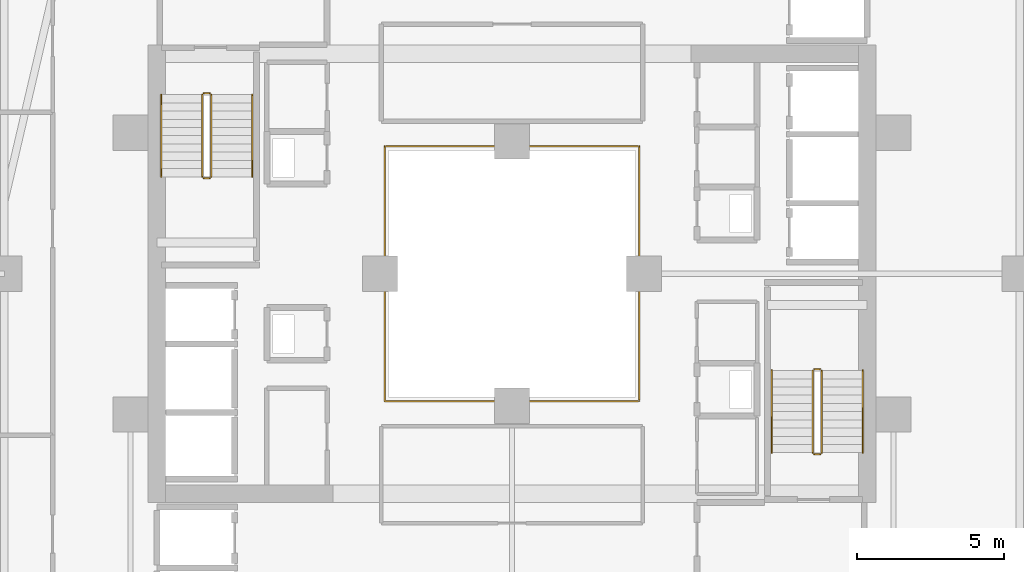
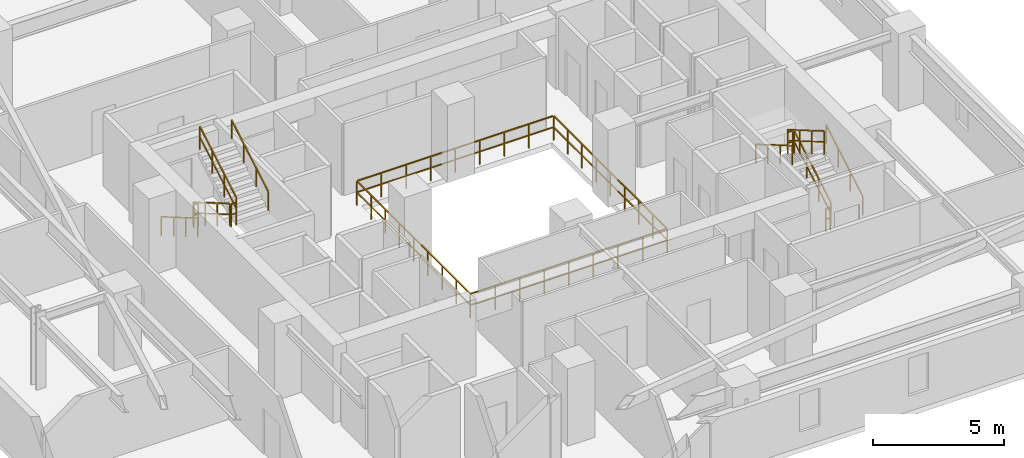
# One storey, part 30 of 31: 13 railings.
"""IFC4 building model written with IfcOpenShell, lengths in metres."""

from ifc_helpers import new_model, si_unit, direction, frame, origin, origin_2d, place, context, subcontext, project, spatial, rectangle, extrude, material, type_object, element, save


model = new_model("IFC4")

# Units and contexts
model_context = context("Model", 3, precision=1e-05, world=origin(), true_north=direction((0.0, 1.0)))
body_context = subcontext(model_context, "Body", "Model", "MODEL_VIEW")
ifc_project = project(units=[si_unit("LENGTHUNIT", "METRE"), si_unit("AREAUNIT", "SQUARE_METRE"), si_unit("VOLUMEUNIT", "CUBIC_METRE"), si_unit("PLANEANGLEUNIT", "RADIAN"), si_unit("MASSUNIT", "GRAM", prefix="KILO")], contexts=[model_context])

# Site, building, storey
site_placement = place(None, origin())
site = spatial("IfcSite", under=ifc_project, at=site_placement, CompositionType="ELEMENT")
building_placement = place(site_placement, origin())
building = spatial("IfcBuilding", under=site, at=building_placement, Name="Thornwick Lancets Civic Towers", CompositionType="ELEMENT")
storey_placement = place(building_placement, frame((0.0, 0.0, 87.300048828125)))
storey = spatial("IfcBuildingStorey", under=building, at=storey_placement, Name="L22", CompositionType="ELEMENT", Elevation=87.300048828125)

# Railings
ifc_material_1 = material(Name="Laminated glass and bronze steel S355", Category="steel")
railing_type_1 = type_object("IfcRailingType", Name="RAIL_ATRIUM_GUARD", PredefinedType="BALUSTRADE", material=ifc_material_1)
railing_1_placement = place(storey_placement, frame((84.159912109375, 22.659912109375, 0.0)))
element("IfcRailing", 1, at=railing_1_placement, inside=storey, type_object=railing_type_1, Name="L22 Tower B Central Atrium Guard Balustrade", PredefinedType="BALUSTRADE", context=body_context, shape_type="SweptSolid", body=[
    extrude(rectangle(XDim=0.048095703125, YDim=0.048095703125, at=origin_2d()), frame((0.0, 0.0, 1.1259765625), z_axis=(1.0, 0.0, 0.0), x_axis=(0.0, 1.0, 0.0)), (0.0, 0.0, 1.0), 8.64892578125),
    extrude(rectangle(XDim=0.0419921875, YDim=0.0419921875, at=origin_2d()), frame((0.03759765625, 0.0, 0.597900390625), z_axis=(1.0, 0.0, 0.0), x_axis=(0.0, 1.0, 0.0)), (0.0, 0.0, 1.0), 1.010009765625),
    extrude(rectangle(XDim=0.0419921875, YDim=0.0419921875, at=origin_2d()), frame((1.12255859375, 0.0, 0.597900390625), z_axis=(1.0, 0.0, 0.0), x_axis=(0.0, 1.0, 0.0)), (0.0, 0.0, 1.0), 1.010009765625),
    extrude(rectangle(XDim=0.0419921875, YDim=0.0419921875, at=origin_2d()), frame((2.20751953125, 0.0, 0.597900390625), z_axis=(1.0, 0.0, 0.0), x_axis=(0.0, 1.0, 0.0)), (0.0, 0.0, 1.0), 1.010009765625),
    extrude(rectangle(XDim=0.0419921875, YDim=0.0419921875, at=origin_2d()), frame((3.29248046875, 0.0, 0.597900390625), z_axis=(1.0, 0.0, 0.0), x_axis=(0.0, 1.0, 0.0)), (0.0, 0.0, 1.0), 1.010009765625),
    extrude(rectangle(XDim=0.0419921875, YDim=0.0419921875, at=origin_2d()), frame((4.377685546875, 0.0, 0.597900390625), z_axis=(1.0, 0.0, 0.0), x_axis=(0.0, 1.0, 0.0)), (0.0, 0.0, 1.0), 1.010009765625),
    extrude(rectangle(XDim=0.0419921875, YDim=0.0419921875, at=origin_2d()), frame((5.462646484375, 0.0, 0.597900390625), z_axis=(1.0, 0.0, 0.0), x_axis=(0.0, 1.0, 0.0)), (0.0, 0.0, 1.0), 1.010009765625),
    extrude(rectangle(XDim=0.0419921875, YDim=0.0419921875, at=origin_2d()), frame((6.547607421875, 0.0, 0.597900390625), z_axis=(1.0, 0.0, 0.0), x_axis=(0.0, 1.0, 0.0)), (0.0, 0.0, 1.0), 1.010009765625),
    extrude(rectangle(XDim=0.0419921875, YDim=0.0419921875, at=origin_2d()), frame((7.632568359375, 0.0, 0.597900390625), z_axis=(1.0, 0.0, 0.0), x_axis=(0.0, 1.0, 0.0)), (0.0, 0.0, 1.0), 1.010009765625),
    extrude(rectangle(XDim=0.048095703125, YDim=0.048095703125, at=origin_2d()), frame((8.68017578125, 0.03125, 1.1259765625), z_axis=(0.0, 1.0, 0.0), x_axis=(-1.0, 0.0, 0.0)), (0.0, 0.0, 1.0), 8.61767578125),
    extrude(rectangle(XDim=0.0419921875, YDim=0.0419921875, at=origin_2d()), frame((8.68017578125, 0.03759765625, 0.597900390625), z_axis=(0.0, 1.0, 0.0), x_axis=(-1.0, 0.0, 0.0)), (0.0, 0.0, 1.0), 1.010009765625),
    extrude(rectangle(XDim=0.0419921875, YDim=0.0419921875, at=origin_2d()), frame((8.68017578125, 1.12255859375, 0.597900390625), z_axis=(0.0, 1.0, 0.0), x_axis=(-1.0, 0.0, 0.0)), (0.0, 0.0, 1.0), 1.010009765625),
    extrude(rectangle(XDim=0.0419921875, YDim=0.0419921875, at=origin_2d()), frame((8.68017578125, 2.20751953125, 0.597900390625), z_axis=(0.0, 1.0, 0.0), x_axis=(-1.0, 0.0, 0.0)), (0.0, 0.0, 1.0), 1.010009765625),
    extrude(rectangle(XDim=0.0419921875, YDim=0.0419921875, at=origin_2d()), frame((8.68017578125, 3.29248046875, 0.597900390625), z_axis=(0.0, 1.0, 0.0), x_axis=(-1.0, 0.0, 0.0)), (0.0, 0.0, 1.0), 1.010009765625),
    extrude(rectangle(XDim=0.0419921875, YDim=0.0419921875, at=origin_2d()), frame((8.68017578125, 4.377685546875, 0.597900390625), z_axis=(0.0, 1.0, 0.0), x_axis=(-1.0, 0.0, 0.0)), (0.0, 0.0, 1.0), 1.010009765625),
    extrude(rectangle(XDim=0.0419921875, YDim=0.0419921875, at=origin_2d()), frame((8.68017578125, 5.462646484375, 0.597900390625), z_axis=(0.0, 1.0, 0.0), x_axis=(-1.0, 0.0, 0.0)), (0.0, 0.0, 1.0), 1.010009765625),
    extrude(rectangle(XDim=0.0419921875, YDim=0.0419921875, at=origin_2d()), frame((8.68017578125, 6.547607421875, 0.597900390625), z_axis=(0.0, 1.0, 0.0), x_axis=(-1.0, 0.0, 0.0)), (0.0, 0.0, 1.0), 1.010009765625),
    extrude(rectangle(XDim=0.0419921875, YDim=0.0419921875, at=origin_2d()), frame((8.68017578125, 7.632568359375, 0.597900390625), z_axis=(0.0, 1.0, 0.0), x_axis=(-1.0, 0.0, 0.0)), (0.0, 0.0, 1.0), 1.010009765625),
    extrude(rectangle(XDim=0.048095703125, YDim=0.048095703125, at=origin_2d()), frame((8.64892578125, 8.68017578125, 1.1259765625), z_axis=(-1.0, 0.0, 0.0), x_axis=(0.0, -1.0, 0.0)), (0.0, 0.0, 1.0), 8.61767578125),
    extrude(rectangle(XDim=0.0419921875, YDim=0.0419921875, at=origin_2d()), frame((8.642578125, 8.68017578125, 0.597900390625), z_axis=(-1.0, 0.0, 0.0), x_axis=(0.0, -1.0, 0.0)), (0.0, 0.0, 1.0), 1.010009765625),
    extrude(rectangle(XDim=0.0419921875, YDim=0.0419921875, at=origin_2d()), frame((7.5576171875, 8.68017578125, 0.597900390625), z_axis=(-1.0, 0.0, 0.0), x_axis=(0.0, -1.0, 0.0)), (0.0, 0.0, 1.0), 1.010009765625),
    extrude(rectangle(XDim=0.0419921875, YDim=0.0419921875, at=origin_2d()), frame((6.47265625, 8.68017578125, 0.597900390625), z_axis=(-1.0, 0.0, 0.0), x_axis=(0.0, -1.0, 0.0)), (0.0, 0.0, 1.0), 1.010009765625),
    extrude(rectangle(XDim=0.0419921875, YDim=0.0419921875, at=origin_2d()), frame((5.3876953125, 8.68017578125, 0.597900390625), z_axis=(-1.0, 0.0, 0.0), x_axis=(0.0, -1.0, 0.0)), (0.0, 0.0, 1.0), 1.010009765625),
    extrude(rectangle(XDim=0.0419921875, YDim=0.0419921875, at=origin_2d()), frame((4.302490234375, 8.68017578125, 0.597900390625), z_axis=(-1.0, 0.0, 0.0), x_axis=(0.0, -1.0, 0.0)), (0.0, 0.0, 1.0), 1.010009765625),
    extrude(rectangle(XDim=0.0419921875, YDim=0.0419921875, at=origin_2d()), frame((3.217529296875, 8.68017578125, 0.597900390625), z_axis=(-1.0, 0.0, 0.0), x_axis=(0.0, -1.0, 0.0)), (0.0, 0.0, 1.0), 1.010009765625),
    extrude(rectangle(XDim=0.0419921875, YDim=0.0419921875, at=origin_2d()), frame((2.132568359375, 8.68017578125, 0.597900390625), z_axis=(-1.0, 0.0, 0.0), x_axis=(0.0, -1.0, 0.0)), (0.0, 0.0, 1.0), 1.010009765625),
    extrude(rectangle(XDim=0.0419921875, YDim=0.0419921875, at=origin_2d()), frame((1.047607421875, 8.68017578125, 0.597900390625), z_axis=(-1.0, 0.0, 0.0), x_axis=(0.0, -1.0, 0.0)), (0.0, 0.0, 1.0), 1.010009765625),
    extrude(rectangle(XDim=0.048095703125, YDim=0.048095703125, at=origin_2d()), frame((0.0, 8.64892578125, 1.1259765625), z_axis=(0.0, -1.0, 0.0), x_axis=(1.0, 0.0, 0.0)), (0.0, 0.0, 1.0), 8.64892578125),
    extrude(rectangle(XDim=0.0419921875, YDim=0.0419921875, at=origin_2d()), frame((0.0, 8.642578125, 0.597900390625), z_axis=(0.0, -1.0, 0.0), x_axis=(1.0, 0.0, 0.0)), (0.0, 0.0, 1.0), 1.010009765625),
    extrude(rectangle(XDim=0.0419921875, YDim=0.0419921875, at=origin_2d()), frame((0.0, 7.5576171875, 0.597900390625), z_axis=(0.0, -1.0, 0.0), x_axis=(1.0, 0.0, 0.0)), (0.0, 0.0, 1.0), 1.010009765625),
    extrude(rectangle(XDim=0.0419921875, YDim=0.0419921875, at=origin_2d()), frame((0.0, 6.47265625, 0.597900390625), z_axis=(0.0, -1.0, 0.0), x_axis=(1.0, 0.0, 0.0)), (0.0, 0.0, 1.0), 1.010009765625),
    extrude(rectangle(XDim=0.0419921875, YDim=0.0419921875, at=origin_2d()), frame((0.0, 5.3876953125, 0.597900390625), z_axis=(0.0, -1.0, 0.0), x_axis=(1.0, 0.0, 0.0)), (0.0, 0.0, 1.0), 1.010009765625),
    extrude(rectangle(XDim=0.0419921875, YDim=0.0419921875, at=origin_2d()), frame((0.0, 4.302490234375, 0.597900390625), z_axis=(0.0, -1.0, 0.0), x_axis=(1.0, 0.0, 0.0)), (0.0, 0.0, 1.0), 1.010009765625),
    extrude(rectangle(XDim=0.0419921875, YDim=0.0419921875, at=origin_2d()), frame((0.0, 3.217529296875, 0.597900390625), z_axis=(0.0, -1.0, 0.0), x_axis=(1.0, 0.0, 0.0)), (0.0, 0.0, 1.0), 1.010009765625),
    extrude(rectangle(XDim=0.0419921875, YDim=0.0419921875, at=origin_2d()), frame((0.0, 2.132568359375, 0.597900390625), z_axis=(0.0, -1.0, 0.0), x_axis=(1.0, 0.0, 0.0)), (0.0, 0.0, 1.0), 1.010009765625),
    extrude(rectangle(XDim=0.0419921875, YDim=0.0419921875, at=origin_2d()), frame((0.0, 1.047607421875, 0.597900390625), z_axis=(0.0, -1.0, 0.0), x_axis=(1.0, 0.0, 0.0)), (0.0, 0.0, 1.0), 1.010009765625),
    extrude(rectangle(XDim=0.0419921875, YDim=0.0419921875, at=origin_2d()), origin(), (0.0, 0.0, 1.0), 1.095703125),
    extrude(rectangle(XDim=0.0419921875, YDim=0.0419921875, at=origin_2d()), frame((1.0849609375, 0.0, 0.0)), (0.0, 0.0, 1.0), 1.095703125),
    extrude(rectangle(XDim=0.0419921875, YDim=0.0419921875, at=origin_2d()), frame((2.169921875, 0.0, 0.0)), (0.0, 0.0, 1.0), 1.095703125),
    extrude(rectangle(XDim=0.0419921875, YDim=0.0419921875, at=origin_2d()), frame((3.255126953125, 0.0, 0.0)), (0.0, 0.0, 1.0), 1.095703125),
    extrude(rectangle(XDim=0.0419921875, YDim=0.0419921875, at=origin_2d()), frame((4.340087890625, 0.0, 0.0)), (0.0, 0.0, 1.0), 1.095703125),
    extrude(rectangle(XDim=0.0419921875, YDim=0.0419921875, at=origin_2d()), frame((5.425048828125, 0.0, 0.0)), (0.0, 0.0, 1.0), 1.095703125),
    extrude(rectangle(XDim=0.0419921875, YDim=0.0419921875, at=origin_2d()), frame((6.51025390625, 0.0, 0.0)), (0.0, 0.0, 1.0), 1.095703125),
    extrude(rectangle(XDim=0.0419921875, YDim=0.0419921875, at=origin_2d()), frame((7.59521484375, 0.0, 0.0)), (0.0, 0.0, 1.0), 1.095703125),
    extrude(rectangle(XDim=0.0419921875, YDim=0.0419921875, at=origin_2d()), frame((8.68017578125, 0.0, 0.0)), (0.0, 0.0, 1.0), 1.095703125),
    extrude(rectangle(XDim=0.0419921875, YDim=0.0419921875, at=origin_2d()), frame((8.68017578125, 1.0849609375, 0.0)), (0.0, 0.0, 1.0), 1.095703125),
    extrude(rectangle(XDim=0.0419921875, YDim=0.0419921875, at=origin_2d()), frame((8.68017578125, 2.169921875, 0.0)), (0.0, 0.0, 1.0), 1.095703125),
    extrude(rectangle(XDim=0.0419921875, YDim=0.0419921875, at=origin_2d()), frame((8.68017578125, 3.255126953125, 0.0)), (0.0, 0.0, 1.0), 1.095703125),
    extrude(rectangle(XDim=0.0419921875, YDim=0.0419921875, at=origin_2d()), frame((8.68017578125, 4.340087890625, 0.0)), (0.0, 0.0, 1.0), 1.095703125),
    extrude(rectangle(XDim=0.0419921875, YDim=0.0419921875, at=origin_2d()), frame((8.68017578125, 5.425048828125, 0.0)), (0.0, 0.0, 1.0), 1.095703125),
    extrude(rectangle(XDim=0.0419921875, YDim=0.0419921875, at=origin_2d()), frame((8.68017578125, 6.51025390625, 0.0)), (0.0, 0.0, 1.0), 1.095703125),
    extrude(rectangle(XDim=0.0419921875, YDim=0.0419921875, at=origin_2d()), frame((8.68017578125, 7.59521484375, 0.0)), (0.0, 0.0, 1.0), 1.095703125),
    extrude(rectangle(XDim=0.0419921875, YDim=0.0419921875, at=origin_2d()), frame((8.68017578125, 8.68017578125, 0.0)), (0.0, 0.0, 1.0), 1.095703125),
    extrude(rectangle(XDim=0.0419921875, YDim=0.0419921875, at=origin_2d()), frame((7.59521484375, 8.68017578125, 0.0)), (0.0, 0.0, 1.0), 1.095703125),
    extrude(rectangle(XDim=0.0419921875, YDim=0.0419921875, at=origin_2d()), frame((6.51025390625, 8.68017578125, 0.0)), (0.0, 0.0, 1.0), 1.095703125),
    extrude(rectangle(XDim=0.0419921875, YDim=0.0419921875, at=origin_2d()), frame((5.425048828125, 8.68017578125, 0.0)), (0.0, 0.0, 1.0), 1.095703125),
    extrude(rectangle(XDim=0.0419921875, YDim=0.0419921875, at=origin_2d()), frame((4.340087890625, 8.68017578125, 0.0)), (0.0, 0.0, 1.0), 1.095703125),
    extrude(rectangle(XDim=0.0419921875, YDim=0.0419921875, at=origin_2d()), frame((3.255126953125, 8.68017578125, 0.0)), (0.0, 0.0, 1.0), 1.095703125),
    extrude(rectangle(XDim=0.0419921875, YDim=0.0419921875, at=origin_2d()), frame((2.169921875, 8.68017578125, 0.0)), (0.0, 0.0, 1.0), 1.095703125),
    extrude(rectangle(XDim=0.0419921875, YDim=0.0419921875, at=origin_2d()), frame((1.0849609375, 8.68017578125, 0.0)), (0.0, 0.0, 1.0), 1.095703125),
    extrude(rectangle(XDim=0.0419921875, YDim=0.0419921875, at=origin_2d()), frame((0.0, 8.68017578125, 0.0)), (0.0, 0.0, 1.0), 1.095703125),
    extrude(rectangle(XDim=0.0419921875, YDim=0.0419921875, at=origin_2d()), frame((0.0, 7.59521484375, 0.0)), (0.0, 0.0, 1.0), 1.095703125),
    extrude(rectangle(XDim=0.0419921875, YDim=0.0419921875, at=origin_2d()), frame((0.0, 6.51025390625, 0.0)), (0.0, 0.0, 1.0), 1.095703125),
    extrude(rectangle(XDim=0.0419921875, YDim=0.0419921875, at=origin_2d()), frame((0.0, 5.425048828125, 0.0)), (0.0, 0.0, 1.0), 1.095703125),
    extrude(rectangle(XDim=0.0419921875, YDim=0.0419921875, at=origin_2d()), frame((0.0, 4.340087890625, 0.0)), (0.0, 0.0, 1.0), 1.095703125),
    extrude(rectangle(XDim=0.0419921875, YDim=0.0419921875, at=origin_2d()), frame((0.0, 3.255126953125, 0.0)), (0.0, 0.0, 1.0), 1.095703125),
    extrude(rectangle(XDim=0.0419921875, YDim=0.0419921875, at=origin_2d()), frame((0.0, 2.169921875, 0.0)), (0.0, 0.0, 1.0), 1.095703125),
    extrude(rectangle(XDim=0.0419921875, YDim=0.0419921875, at=origin_2d()), frame((0.0, 1.0849609375, 0.0)), (0.0, 0.0, 1.0), 1.095703125),
])
ifc_material_2 = material(Name="Brushed stainless steel S355", Category="steel")
railing_type_2 = type_object("IfcRailingType", Name="RAIL_HANDRAIL", PredefinedType="HANDRAIL", material=ifc_material_2)
railing_2_placement = place(storey_placement, frame((100.449951171875, 20.89990234375, 0.16357421875)))
element("IfcRailing", 2, at=railing_2_placement, inside=storey, type_object=railing_type_2, Name="L22 ST-B1 stair handrail 1", PredefinedType="HANDRAIL", context=body_context, shape_type="SweptSolid", body=[
    extrude(rectangle(XDim=0.048095703125, YDim=0.048095703125, at=origin_2d()), frame((0.0, 0.0, 0.8857421875), z_axis=(0.0, 0.863360870873, 0.504586966384), x_axis=(-1.0, 0.0, 0.0)), (0.0, 0.0, 1.0), 3.2431640625),
    extrude(rectangle(XDim=0.0419921875, YDim=0.0419921875, at=origin_2d()), origin(), (0.0, 0.0, 1.0), 0.855712890625),
    extrude(rectangle(XDim=0.0419921875, YDim=0.0419921875, at=origin_2d()), frame((0.0, 0.933349609375, 0.54541015625)), (0.0, 0.0, 1.0), 0.855712890625),
    extrude(rectangle(XDim=0.0419921875, YDim=0.0419921875, at=origin_2d()), frame((0.0, 1.86669921875, 1.091064453125)), (0.0, 0.0, 1.0), 0.855712890625),
    extrude(rectangle(XDim=0.0419921875, YDim=0.0419921875, at=origin_2d()), frame((0.0, 2.800048828125, 1.636474609375)), (0.0, 0.0, 1.0), 0.855712890625),
])
railing_3_placement = place(storey_placement, frame((97.35009765625, 23.699951171875, 1.963623046875)))
element("IfcRailing", 3, at=railing_3_placement, inside=storey, type_object=railing_type_2, Name="L22 ST-B1 stair handrail 2", PredefinedType="HANDRAIL", context=body_context, shape_type="SweptSolid", body=[
    extrude(rectangle(XDim=0.048095703125, YDim=0.048095703125, at=origin_2d()), frame((0.0, 0.0, 0.8857421875), z_axis=(0.0, -0.863393664356, 0.504530851732), x_axis=(1.0, 0.0, 0.0)), (0.0, 0.0, 1.0), 3.2431640625),
    extrude(rectangle(XDim=0.0419921875, YDim=0.0419921875, at=origin_2d()), origin(), (0.0, 0.0, 1.0), 0.855712890625),
    extrude(rectangle(XDim=0.0419921875, YDim=0.0419921875, at=origin_2d()), frame((0.0, -0.933349609375, 0.54541015625)), (0.0, 0.0, 1.0), 0.855712890625),
    extrude(rectangle(XDim=0.0419921875, YDim=0.0419921875, at=origin_2d()), frame((0.0, -1.86669921875, 1.0908203125)), (0.0, 0.0, 1.0), 0.855712890625),
    extrude(rectangle(XDim=0.0419921875, YDim=0.0419921875, at=origin_2d()), frame((0.0, -2.800048828125, 1.63623046875)), (0.0, 0.0, 1.0), 0.855712890625),
])
railing_4_placement = place(storey_placement, frame((76.550048828125, 33.10009765625, 0.16357421875)))
element("IfcRailing", 4, at=railing_4_placement, inside=storey, type_object=railing_type_2, Name="L22 ST-B2 stair handrail 1", PredefinedType="HANDRAIL", context=body_context, shape_type="SweptSolid", body=[
    extrude(rectangle(XDim=0.048095703125, YDim=0.048095703125, at=origin_2d()), frame((0.0, 0.0, 0.8857421875), z_axis=(0.0, -0.863360870873, 0.504586966384), x_axis=(1.0, 0.0, 0.0)), (0.0, 0.0, 1.0), 3.2431640625),
    extrude(rectangle(XDim=0.0419921875, YDim=0.0419921875, at=origin_2d()), origin(), (0.0, 0.0, 1.0), 0.855712890625),
    extrude(rectangle(XDim=0.0419921875, YDim=0.0419921875, at=origin_2d()), frame((0.0, -0.933349609375, 0.54541015625)), (0.0, 0.0, 1.0), 0.855712890625),
    extrude(rectangle(XDim=0.0419921875, YDim=0.0419921875, at=origin_2d()), frame((0.0, -1.86669921875, 1.091064453125)), (0.0, 0.0, 1.0), 0.855712890625),
    extrude(rectangle(XDim=0.0419921875, YDim=0.0419921875, at=origin_2d()), frame((0.0, -2.800048828125, 1.636474609375)), (0.0, 0.0, 1.0), 0.855712890625),
])
railing_5_placement = place(storey_placement, frame((79.64990234375, 30.300048828125, 1.963623046875)))
element("IfcRailing", 5, at=railing_5_placement, inside=storey, type_object=railing_type_2, Name="L22 ST-B2 stair handrail 2", PredefinedType="HANDRAIL", context=body_context, shape_type="SweptSolid", body=[
    extrude(rectangle(XDim=0.048095703125, YDim=0.048095703125, at=origin_2d()), frame((0.0, 0.0, 0.8857421875), z_axis=(0.0, 0.863393664356, 0.504530851732), x_axis=(-1.0, 0.0, 0.0)), (0.0, 0.0, 1.0), 3.2431640625),
    extrude(rectangle(XDim=0.0419921875, YDim=0.0419921875, at=origin_2d()), origin(), (0.0, 0.0, 1.0), 0.855712890625),
    extrude(rectangle(XDim=0.0419921875, YDim=0.0419921875, at=origin_2d()), frame((0.0, 0.933349609375, 0.54541015625)), (0.0, 0.0, 1.0), 0.855712890625),
    extrude(rectangle(XDim=0.0419921875, YDim=0.0419921875, at=origin_2d()), frame((0.0, 1.86669921875, 1.0908203125)), (0.0, 0.0, 1.0), 0.855712890625),
    extrude(rectangle(XDim=0.0419921875, YDim=0.0419921875, at=origin_2d()), frame((0.0, 2.800048828125, 1.63623046875)), (0.0, 0.0, 1.0), 0.855712890625),
])
ifc_material_3 = material(Name="Steel S355JR", Category="steel")
railing_type_3 = type_object("IfcRailingType", Name="RAIL_STAIR_GUARD", PredefinedType="GUARDRAIL", material=ifc_material_3)
railing_6_placement = place(storey_placement, frame((99.050048828125, 20.89990234375, 0.16357421875)))
element("IfcRailing", 6, at=railing_6_placement, inside=storey, type_object=railing_type_3, Name="L22 ST-B1 stair guard 1", PredefinedType="GUARDRAIL", context=body_context, shape_type="SweptSolid", body=[
    extrude(rectangle(XDim=0.048095703125, YDim=0.048095703125, at=origin_2d()), frame((0.0, 0.0, 1.076171875), z_axis=(0.0, 0.863360870873, 0.504586966384), x_axis=(-1.0, 0.0, 0.0)), (0.0, 0.0, 1.0), 3.2431640625),
    extrude(rectangle(XDim=0.0419921875, YDim=0.0419921875, at=origin_2d()), frame((0.0, 0.032470703125, 0.591064453125), z_axis=(0.0, 0.863360870873, 0.504586966384), x_axis=(-1.0, 0.0, 0.0)), (0.0, 0.0, 1.0), 1.006103515625),
    extrude(rectangle(XDim=0.0419921875, YDim=0.0419921875, at=origin_2d()), frame((0.0, 0.9658203125, 1.136474609375), z_axis=(0.0, 0.863360870873, 0.504586966384), x_axis=(-1.0, 0.0, 0.0)), (0.0, 0.0, 1.0), 1.006103515625),
    extrude(rectangle(XDim=0.0419921875, YDim=0.0419921875, at=origin_2d()), frame((0.0, 1.899169921875, 1.681884765625), z_axis=(0.0, 0.863360870873, 0.504586966384), x_axis=(-1.0, 0.0, 0.0)), (0.0, 0.0, 1.0), 1.006103515625),
    extrude(rectangle(XDim=0.0419921875, YDim=0.0419921875, at=origin_2d()), origin(), (0.0, 0.0, 1.0), 1.0458984375),
    extrude(rectangle(XDim=0.0419921875, YDim=0.0419921875, at=origin_2d()), frame((0.0, 0.933349609375, 0.54541015625)), (0.0, 0.0, 1.0), 1.0458984375),
    extrude(rectangle(XDim=0.0419921875, YDim=0.0419921875, at=origin_2d()), frame((0.0, 1.86669921875, 1.091064453125)), (0.0, 0.0, 1.0), 1.0458984375),
    extrude(rectangle(XDim=0.0419921875, YDim=0.0419921875, at=origin_2d()), frame((0.0, 2.800048828125, 1.636474609375)), (0.0, 0.0, 1.0), 1.0458984375),
])
railing_7_placement = place(storey_placement, frame((99.0, 23.75, 1.800048828125)))
element("IfcRailing", 7, at=railing_7_placement, inside=storey, type_object=railing_type_3, Name="L22 ST-B1 stair guard 2", PredefinedType="GUARDRAIL", context=body_context, shape_type="SweptSolid", body=[
    extrude(rectangle(XDim=0.048095703125, YDim=0.048095703125, at=origin_2d()), frame((0.0, 0.0, 1.076171875), z_axis=(-1.0, 0.0, 0.0), x_axis=(0.0, -1.0, 0.0)), (0.0, 0.0, 1.0), 0.199951171875),
    extrude(rectangle(XDim=0.0419921875, YDim=0.0419921875, at=origin_2d()), frame((-0.03759765625, 0.0, 0.572021484375), z_axis=(-1.0, 0.0, 0.0), x_axis=(0.0, -1.0, 0.0)), (0.0, 0.0, 1.0), 0.125),
    extrude(rectangle(XDim=0.0419921875, YDim=0.0419921875, at=origin_2d()), origin(), (0.0, 0.0, 1.0), 1.0458984375),
    extrude(rectangle(XDim=0.0419921875, YDim=0.0419921875, at=origin_2d()), frame((-0.199951171875, 0.0, 0.0)), (0.0, 0.0, 1.0), 1.0458984375),
])
railing_8_placement = place(storey_placement, frame((98.75, 23.699951171875, 1.963623046875)))
element("IfcRailing", 8, at=railing_8_placement, inside=storey, type_object=railing_type_3, Name="L22 ST-B1 stair guard 3", PredefinedType="GUARDRAIL", context=body_context, shape_type="SweptSolid", body=[
    extrude(rectangle(XDim=0.048095703125, YDim=0.048095703125, at=origin_2d()), frame((0.0, 0.0, 1.076171875), z_axis=(0.0, -0.863393664356, 0.504530851732), x_axis=(1.0, 0.0, 0.0)), (0.0, 0.0, 1.0), 3.2431640625),
    extrude(rectangle(XDim=0.0419921875, YDim=0.0419921875, at=origin_2d()), frame((0.0, -0.032470703125, 0.591064453125), z_axis=(0.0, -0.863393664356, 0.504530851732), x_axis=(1.0, 0.0, 0.0)), (0.0, 0.0, 1.0), 1.006103515625),
    extrude(rectangle(XDim=0.0419921875, YDim=0.0419921875, at=origin_2d()), frame((0.0, -0.9658203125, 1.136474609375), z_axis=(0.0, -0.863393664356, 0.504530851732), x_axis=(1.0, 0.0, 0.0)), (0.0, 0.0, 1.0), 1.006103515625),
    extrude(rectangle(XDim=0.0419921875, YDim=0.0419921875, at=origin_2d()), frame((0.0, -1.899169921875, 1.681884765625), z_axis=(0.0, -0.863393664356, 0.504530851732), x_axis=(1.0, 0.0, 0.0)), (0.0, 0.0, 1.0), 1.006103515625),
    extrude(rectangle(XDim=0.0419921875, YDim=0.0419921875, at=origin_2d()), origin(), (0.0, 0.0, 1.0), 1.0458984375),
    extrude(rectangle(XDim=0.0419921875, YDim=0.0419921875, at=origin_2d()), frame((0.0, -0.933349609375, 0.54541015625)), (0.0, 0.0, 1.0), 1.0458984375),
    extrude(rectangle(XDim=0.0419921875, YDim=0.0419921875, at=origin_2d()), frame((0.0, -1.86669921875, 1.0908203125)), (0.0, 0.0, 1.0), 1.0458984375),
    extrude(rectangle(XDim=0.0419921875, YDim=0.0419921875, at=origin_2d()), frame((0.0, -2.800048828125, 1.63623046875)), (0.0, 0.0, 1.0), 1.0458984375),
])
railing_9_placement = place(storey_placement, frame((99.0, 20.85009765625, 0.0)))
element("IfcRailing", 9, at=railing_9_placement, inside=storey, type_object=railing_type_3, Name="L22 ST-B1 stair guard 4", PredefinedType="GUARDRAIL", context=body_context, shape_type="SweptSolid", body=[
    extrude(rectangle(XDim=0.048095703125, YDim=0.048095703125, at=origin_2d()), frame((0.0, 0.0, 1.076171875), z_axis=(-1.0, 0.0, 0.0), x_axis=(0.0, -1.0, 0.0)), (0.0, 0.0, 1.0), 0.199951171875),
    extrude(rectangle(XDim=0.0419921875, YDim=0.0419921875, at=origin_2d()), frame((-0.03759765625, 0.0, 0.572021484375), z_axis=(-1.0, 0.0, 0.0), x_axis=(0.0, -1.0, 0.0)), (0.0, 0.0, 1.0), 0.125),
    extrude(rectangle(XDim=0.0419921875, YDim=0.0419921875, at=origin_2d()), origin(), (0.0, 0.0, 1.0), 1.0458984375),
    extrude(rectangle(XDim=0.0419921875, YDim=0.0419921875, at=origin_2d()), frame((-0.199951171875, 0.0, 0.0)), (0.0, 0.0, 1.0), 1.0458984375),
])
railing_10_placement = place(storey_placement, frame((77.949951171875, 33.10009765625, 0.16357421875)))
element("IfcRailing", 10, at=railing_10_placement, inside=storey, type_object=railing_type_3, Name="L22 ST-B2 stair guard 1", PredefinedType="GUARDRAIL", context=body_context, shape_type="SweptSolid", body=[
    extrude(rectangle(XDim=0.048095703125, YDim=0.048095703125, at=origin_2d()), frame((0.0, 0.0, 1.076171875), z_axis=(0.0, -0.863360870873, 0.504586966384), x_axis=(1.0, 0.0, 0.0)), (0.0, 0.0, 1.0), 3.2431640625),
    extrude(rectangle(XDim=0.0419921875, YDim=0.0419921875, at=origin_2d()), frame((0.0, -0.032470703125, 0.591064453125), z_axis=(0.0, -0.863360870873, 0.504586966384), x_axis=(1.0, 0.0, 0.0)), (0.0, 0.0, 1.0), 1.006103515625),
    extrude(rectangle(XDim=0.0419921875, YDim=0.0419921875, at=origin_2d()), frame((0.0, -0.9658203125, 1.136474609375), z_axis=(0.0, -0.863360870873, 0.504586966384), x_axis=(1.0, 0.0, 0.0)), (0.0, 0.0, 1.0), 1.006103515625),
    extrude(rectangle(XDim=0.0419921875, YDim=0.0419921875, at=origin_2d()), frame((0.0, -1.899169921875, 1.681884765625), z_axis=(0.0, -0.863360870873, 0.504586966384), x_axis=(1.0, 0.0, 0.0)), (0.0, 0.0, 1.0), 1.006103515625),
    extrude(rectangle(XDim=0.0419921875, YDim=0.0419921875, at=origin_2d()), origin(), (0.0, 0.0, 1.0), 1.0458984375),
    extrude(rectangle(XDim=0.0419921875, YDim=0.0419921875, at=origin_2d()), frame((0.0, -0.933349609375, 0.54541015625)), (0.0, 0.0, 1.0), 1.0458984375),
    extrude(rectangle(XDim=0.0419921875, YDim=0.0419921875, at=origin_2d()), frame((0.0, -1.86669921875, 1.091064453125)), (0.0, 0.0, 1.0), 1.0458984375),
    extrude(rectangle(XDim=0.0419921875, YDim=0.0419921875, at=origin_2d()), frame((0.0, -2.800048828125, 1.636474609375)), (0.0, 0.0, 1.0), 1.0458984375),
])
railing_11_placement = place(storey_placement, frame((78.0, 30.25, 1.800048828125)))
element("IfcRailing", 11, at=railing_11_placement, inside=storey, type_object=railing_type_3, Name="L22 ST-B2 stair guard 2", PredefinedType="GUARDRAIL", context=body_context, shape_type="SweptSolid", body=[
    extrude(rectangle(XDim=0.048095703125, YDim=0.048095703125, at=origin_2d()), frame((0.0, 0.0, 1.076171875), z_axis=(1.0, 0.0, 0.0), x_axis=(0.0, 1.0, 0.0)), (0.0, 0.0, 1.0), 0.199951171875),
    extrude(rectangle(XDim=0.0419921875, YDim=0.0419921875, at=origin_2d()), frame((0.03759765625, 0.0, 0.572021484375), z_axis=(1.0, 0.0, 0.0), x_axis=(0.0, 1.0, 0.0)), (0.0, 0.0, 1.0), 0.125),
    extrude(rectangle(XDim=0.0419921875, YDim=0.0419921875, at=origin_2d()), origin(), (0.0, 0.0, 1.0), 1.0458984375),
    extrude(rectangle(XDim=0.0419921875, YDim=0.0419921875, at=origin_2d()), frame((0.199951171875, 0.0, 0.0)), (0.0, 0.0, 1.0), 1.0458984375),
])
railing_12_placement = place(storey_placement, frame((78.25, 30.300048828125, 1.963623046875)))
element("IfcRailing", 12, at=railing_12_placement, inside=storey, type_object=railing_type_3, Name="L22 ST-B2 stair guard 3", PredefinedType="GUARDRAIL", context=body_context, shape_type="SweptSolid", body=[
    extrude(rectangle(XDim=0.048095703125, YDim=0.048095703125, at=origin_2d()), frame((0.0, 0.0, 1.076171875), z_axis=(0.0, 0.863393664356, 0.504530851732), x_axis=(-1.0, 0.0, 0.0)), (0.0, 0.0, 1.0), 3.2431640625),
    extrude(rectangle(XDim=0.0419921875, YDim=0.0419921875, at=origin_2d()), frame((0.0, 0.032470703125, 0.591064453125), z_axis=(0.0, 0.863393664356, 0.504530851732), x_axis=(-1.0, 0.0, 0.0)), (0.0, 0.0, 1.0), 1.006103515625),
    extrude(rectangle(XDim=0.0419921875, YDim=0.0419921875, at=origin_2d()), frame((0.0, 0.9658203125, 1.136474609375), z_axis=(0.0, 0.863393664356, 0.504530851732), x_axis=(-1.0, 0.0, 0.0)), (0.0, 0.0, 1.0), 1.006103515625),
    extrude(rectangle(XDim=0.0419921875, YDim=0.0419921875, at=origin_2d()), frame((0.0, 1.899169921875, 1.681884765625), z_axis=(0.0, 0.863393664356, 0.504530851732), x_axis=(-1.0, 0.0, 0.0)), (0.0, 0.0, 1.0), 1.006103515625),
    extrude(rectangle(XDim=0.0419921875, YDim=0.0419921875, at=origin_2d()), origin(), (0.0, 0.0, 1.0), 1.0458984375),
    extrude(rectangle(XDim=0.0419921875, YDim=0.0419921875, at=origin_2d()), frame((0.0, 0.933349609375, 0.54541015625)), (0.0, 0.0, 1.0), 1.0458984375),
    extrude(rectangle(XDim=0.0419921875, YDim=0.0419921875, at=origin_2d()), frame((0.0, 1.86669921875, 1.0908203125)), (0.0, 0.0, 1.0), 1.0458984375),
    extrude(rectangle(XDim=0.0419921875, YDim=0.0419921875, at=origin_2d()), frame((0.0, 2.800048828125, 1.63623046875)), (0.0, 0.0, 1.0), 1.0458984375),
])
railing_13_placement = place(storey_placement, frame((78.0, 33.14990234375, 0.0)))
element("IfcRailing", 13, at=railing_13_placement, inside=storey, type_object=railing_type_3, Name="L22 ST-B2 stair guard 4", PredefinedType="GUARDRAIL", context=body_context, shape_type="SweptSolid", body=[
    extrude(rectangle(XDim=0.048095703125, YDim=0.048095703125, at=origin_2d()), frame((0.0, 0.0, 1.076171875), z_axis=(1.0, 0.0, 0.0), x_axis=(0.0, 1.0, 0.0)), (0.0, 0.0, 1.0), 0.199951171875),
    extrude(rectangle(XDim=0.0419921875, YDim=0.0419921875, at=origin_2d()), frame((0.03759765625, 0.0, 0.572021484375), z_axis=(1.0, 0.0, 0.0), x_axis=(0.0, 1.0, 0.0)), (0.0, 0.0, 1.0), 0.125),
    extrude(rectangle(XDim=0.0419921875, YDim=0.0419921875, at=origin_2d()), origin(), (0.0, 0.0, 1.0), 1.0458984375),
    extrude(rectangle(XDim=0.0419921875, YDim=0.0419921875, at=origin_2d()), frame((0.199951171875, 0.0, 0.0)), (0.0, 0.0, 1.0), 1.0458984375),
])

save(model, "model.ifc")
